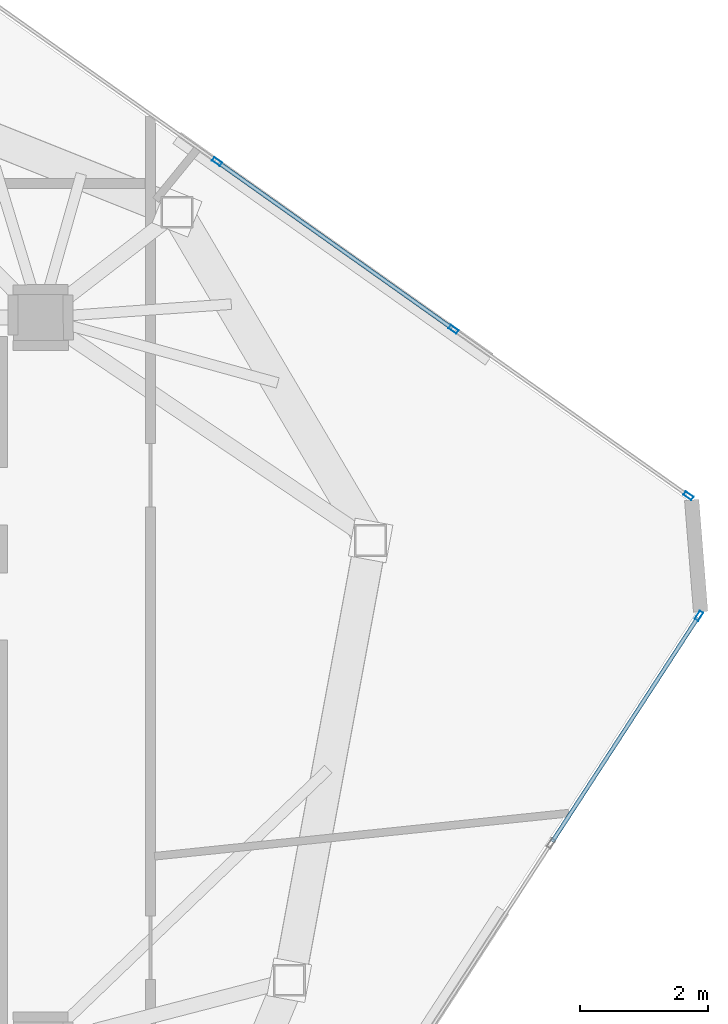
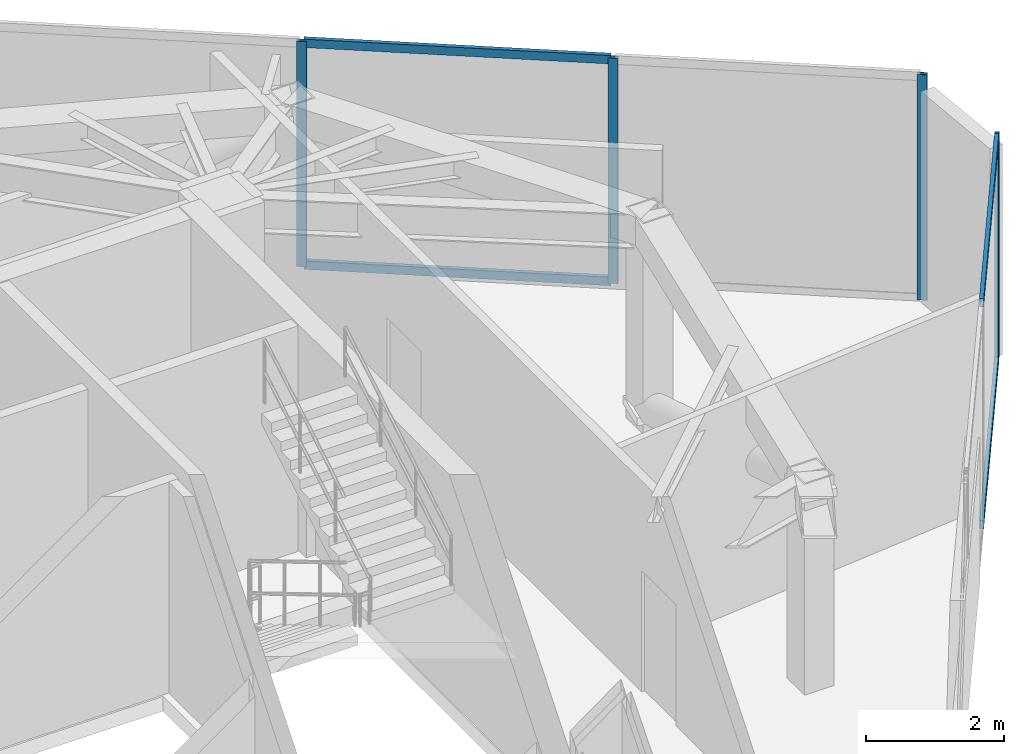
# One storey, part 16 of 21: 8 members, 2 elements without a shape of their own.
"""IFC4 building model written with IfcOpenShell, lengths in metres."""

from ifc_helpers import new_model, si_unit, direction, frame, origin, origin_2d, place, context, subcontext, project, spatial, hollow_rectangle, extrude, source, transform, mapped, material, layer, layer_set, material_profile, profile_set, type_object, type_shapes, element, aggregate, save


model = new_model("IFC4")

# Units and contexts
model_context = context("Model", 3, precision=1e-05, world=origin(), true_north=direction((0.0, 1.0)))
body_context = subcontext(model_context, "Body", "Model", "MODEL_VIEW")
ifc_project = project(units=[si_unit("LENGTHUNIT", "METRE"), si_unit("AREAUNIT", "SQUARE_METRE"), si_unit("VOLUMEUNIT", "CUBIC_METRE"), si_unit("PLANEANGLEUNIT", "RADIAN"), si_unit("MASSUNIT", "GRAM", prefix="KILO")], contexts=[model_context])

# Site, building, storey
site_placement = place(None, origin())
site = spatial("IfcSite", under=ifc_project, at=site_placement, CompositionType="ELEMENT")
building_placement = place(site_placement, origin())
building = spatial("IfcBuilding", under=site, at=building_placement, Name="Talar Marvaseh", CompositionType="ELEMENT")
storey_placement = place(building_placement, frame((0.0, 0.0, 304.0)))
storey = spatial("IfcBuildingStorey", under=building, at=storey_placement, Name="L81", CompositionType="ELEMENT", Elevation=304.0)

# Curtain wall, members
ifc_material = material(Name="Architectural Aluminium", Category="aluminium")
ifc_layer = layer(ifc_material, 0.2099609375)
ifc_layer_set = layer_set([ifc_layer], Name="Architectural Aluminium")
curtain_wall_type = type_object("IfcCurtainWallType", Name="Crown Plant Acoustic Spandrel Curtain Wall", PredefinedType="NOTDEFINED", material=ifc_layer_set)
curtain_wall_1_placement = place(storey_placement, origin())
curtain_wall_1 = element("IfcCurtainWall", 1, at=curtain_wall_1_placement, inside=storey, type_object=curtain_wall_type, Name="L81 Crown Plant Acoustic Spandrel Curtain Wall", PredefinedType="NOTDEFINED")
ifc_material_profile_1 = material_profile(ifc_material, hollow_rectangle(XDim=0.06494140625, YDim=0.14990234375, WallThickness=0.00390625, at=origin_2d()), Name="RHS150x65x4")
ifc_profile_set_1 = profile_set([ifc_material_profile_1], Name="Architectural Aluminium")
member_type_1 = type_object("IfcMemberType", Name="Unitised Curtain Wall Slim Transom RHS150x65x4", PredefinedType="USERDEFINED", material=ifc_profile_set_1)
shared_shape_1 = source(origin(), body_context, "Body", "SweptSolid", [
    extrude(hollow_rectangle(XDim=0.06494140625, YDim=0.14990234375, WallThickness=0.00390625, at=origin_2d()), origin(), (0.0, 0.0, 1.0), 4.47998046875),
])
member_1_placement = place(storey_placement, frame((36.09130859375, 39.32568359375, 0.032470703125), z_axis=(0.815654806613, -0.578538880671, 0.0), x_axis=(0.578538880671, 0.815654806613, 0.0)))
member_1 = element("IfcMember", 2, at=member_1_placement, type_object=member_type_1, Name="CW-CRN transom 2.1", ObjectType="TRANSOM", PredefinedType="USERDEFINED", context=body_context, shape_type="MappedRepresentation", body=[
    mapped(shared_shape_1, transform((0.0, 0.0, 0.0), x_axis=(1.0, 0.0, 0.0), y_axis=(0.0, 1.0, 0.0), z_axis=(0.0, 0.0, 1.0), scale=1.0)),
])
member_2_placement = place(storey_placement, frame((36.09130859375, 39.32568359375, 3.967529296875), z_axis=(0.815654806613, -0.578538880671, 0.0), x_axis=(0.578538880671, 0.815654806613, 0.0)))
member_2 = element("IfcMember", 3, at=member_2_placement, type_object=member_type_1, Name="CW-CRN transom 2.2", ObjectType="TRANSOM", PredefinedType="USERDEFINED", context=body_context, shape_type="MappedRepresentation", body=[
    mapped(shared_shape_1, transform((0.0, 0.0, 0.0), x_axis=(1.0, 0.0, 0.0), y_axis=(0.0, 1.0, 0.0), z_axis=(0.0, 0.0, 1.0), scale=1.0)),
])

curtain_wall_2_placement = place(storey_placement, origin())
curtain_wall_2 = element("IfcCurtainWall", 4, at=curtain_wall_2_placement, inside=storey, type_object=curtain_wall_type, Name="L81 Crown Plant Acoustic Spandrel Curtain Wall", PredefinedType="NOTDEFINED")
shared_shape_2 = source(origin(), body_context, "Body", "SweptSolid", [
    extrude(hollow_rectangle(XDim=0.06494140625, YDim=0.14990234375, WallThickness=0.00390625, at=origin_2d()), origin(), (0.0, 0.0, 1.0), 4.18896484375),
])
type_shapes(member_type_1, [shared_shape_1, shared_shape_2])
member_3_placement = place(storey_placement, frame((43.599609375, 32.197509765625, 0.032470703125), z_axis=(-0.5447752758, -0.838582076411, 0.0), x_axis=(0.838582076411, -0.5447752758, 0.0)))
member_3 = element("IfcMember", 5, at=member_3_placement, type_object=member_type_1, Name="CW-CRN transom 1.1", ObjectType="TRANSOM", PredefinedType="USERDEFINED", context=body_context, shape_type="MappedRepresentation", body=[
    mapped(shared_shape_2, transform((0.0, 0.0, 0.0), x_axis=(1.0, 0.0, 0.0), y_axis=(0.0, 1.0, 0.0), z_axis=(0.0, 0.0, 1.0), scale=1.0)),
])
member_4_placement = place(storey_placement, frame((43.599609375, 32.197509765625, 3.967529296875), z_axis=(-0.5447752758, -0.838582076411, 0.0), x_axis=(0.838582076411, -0.5447752758, 0.0)))
member_4 = element("IfcMember", 6, at=member_4_placement, type_object=member_type_1, Name="CW-CRN transom 1.2", ObjectType="TRANSOM", PredefinedType="USERDEFINED", context=body_context, shape_type="MappedRepresentation", body=[
    mapped(shared_shape_2, transform((0.0, 0.0, 0.0), x_axis=(1.0, 0.0, 0.0), y_axis=(0.0, 1.0, 0.0), z_axis=(0.0, 0.0, 1.0), scale=1.0)),
])

# Member
ifc_material_profile_2 = material_profile(ifc_material, hollow_rectangle(XDim=0.06494140625, YDim=0.14990234375, WallThickness=0.00390625, at=origin_2d()), Name="RHS150x65x4")
ifc_profile_set_2 = profile_set([ifc_material_profile_2], Name="Architectural Aluminium")
member_type_2 = type_object("IfcMemberType", Name="Unitised Curtain Wall Slim Mullion RHS150x65x4", PredefinedType="MULLION", material=ifc_profile_set_2)
shared_shape_3 = source(origin(), body_context, "Body", "SweptSolid", [
    extrude(hollow_rectangle(XDim=0.06494140625, YDim=0.14990234375, WallThickness=0.00390625, at=origin_2d()), origin(), (0.0, 0.0, 1.0), 4.0),
])
type_shapes(member_type_2, [shared_shape_3])
member_5_placement = place(storey_placement, frame((36.06494140625, 39.344482421875, 0.0), z_axis=(0.0, 0.0, 1.0), x_axis=(0.578512539176, 0.815673489833, 0.0)))
member_5 = element("IfcMember", 7, at=member_5_placement, type_object=member_type_2, Name="CW-CRN mullion 2", PredefinedType="MULLION", context=body_context, shape_type="MappedRepresentation", body=[
    mapped(shared_shape_3, transform((0.0, 0.0, 0.0), x_axis=(1.0, 0.0, 0.0), y_axis=(0.0, 1.0, 0.0), z_axis=(0.0, 0.0, 1.0), scale=1.0)),
])

member_6_placement = place(storey_placement, frame((39.77197265625, 36.715087890625, 0.0), z_axis=(0.0, 0.0, 1.0), x_axis=(0.578512539176, 0.815673489833, 0.0)))
member_6 = element("IfcMember", 8, at=member_6_placement, type_object=member_type_2, Name="CW-CRN mullion 3", PredefinedType="MULLION", context=body_context, shape_type="MappedRepresentation", body=[
    mapped(shared_shape_3, transform((0.0, 0.0, 0.0), x_axis=(1.0, 0.0, 0.0), y_axis=(0.0, 1.0, 0.0), z_axis=(0.0, 0.0, 1.0), scale=1.0)),
])

member_7_placement = place(storey_placement, frame((43.45263671875, 34.104736328125, 0.0), z_axis=(0.0, 0.0, 1.0), x_axis=(0.578512539176, 0.815673489833, 0.0)))
member_7 = element("IfcMember", 9, at=member_7_placement, type_object=member_type_2, Name="CW-CRN mullion 4", PredefinedType="MULLION", context=body_context, shape_type="MappedRepresentation", body=[
    mapped(shared_shape_3, transform((0.0, 0.0, 0.0), x_axis=(1.0, 0.0, 0.0), y_axis=(0.0, 1.0, 0.0), z_axis=(0.0, 0.0, 1.0), scale=1.0)),
])

aggregate(curtain_wall_1, [member_5, member_6, member_7, member_1, member_2])

member_8_placement = place(storey_placement, frame((43.6171875, 32.224609375, 0.0), z_axis=(0.0, 0.0, 1.0), x_axis=(0.838585906919, -0.544769379387, 0.0)))
member_8 = element("IfcMember", 10, at=member_8_placement, type_object=member_type_2, Name="CW-CRN mullion 1", PredefinedType="MULLION", context=body_context, shape_type="MappedRepresentation", body=[
    mapped(shared_shape_3, transform((0.0, 0.0, 0.0), x_axis=(1.0, 0.0, 0.0), y_axis=(0.0, 1.0, 0.0), z_axis=(0.0, 0.0, 1.0), scale=1.0)),
])

aggregate(curtain_wall_2, [member_8, member_3, member_4])

save(model, "model.ifc")
